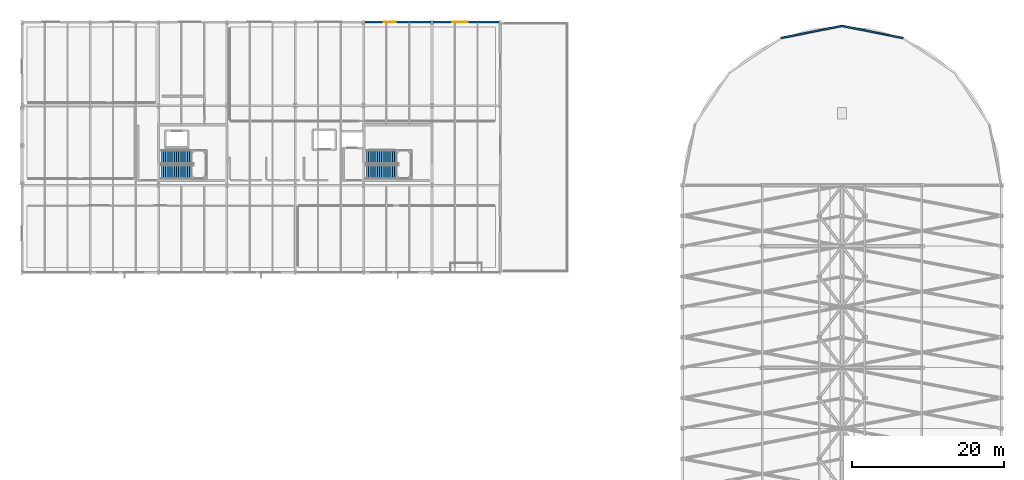
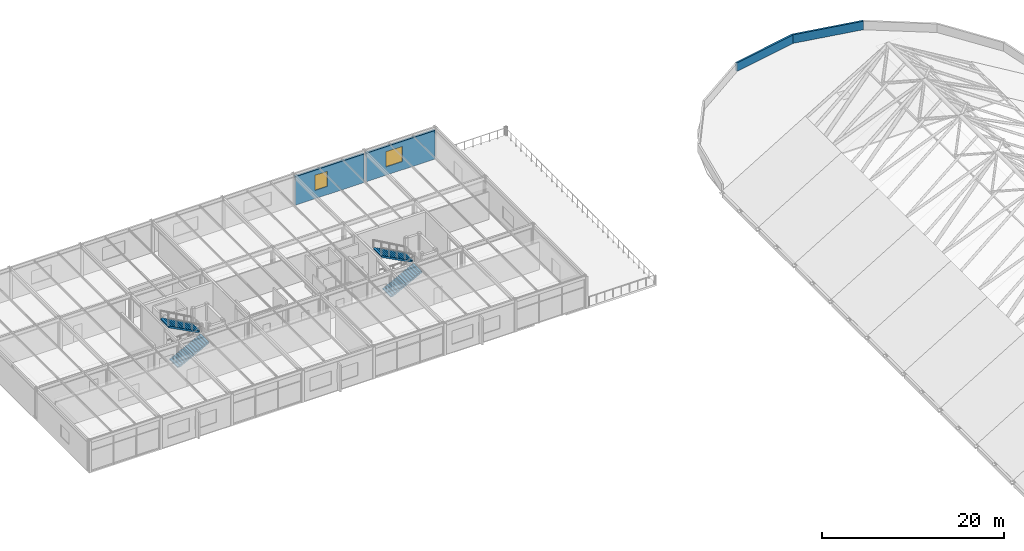
# One storey, part 21 of 44: 4 stair flights, 4 walls, 2 windows, 2 openings, 2 elements without a shape of their own.
"""IFC4 building model written with IfcOpenShell, lengths in metres."""

from ifc_helpers import new_model, si_unit, direction, frame, frame_2d, origin, place, context, subcontext, project, spatial, polyline, rectangle, outline, extrude, material, layer, layer_set, type_object, element, fill, aggregate, save


model = new_model("IFC4")

# Units and contexts
model_context = context("Model", 3, precision=1e-05, world=origin(), true_north=direction((0.0, 1.0)))
body_context = subcontext(model_context, "Body", "Model", "MODEL_VIEW")
ifc_project = project(units=[si_unit("LENGTHUNIT", "METRE"), si_unit("AREAUNIT", "SQUARE_METRE"), si_unit("VOLUMEUNIT", "CUBIC_METRE"), si_unit("PLANEANGLEUNIT", "RADIAN"), si_unit("MASSUNIT", "GRAM", prefix="KILO")], contexts=[model_context])

# Site, building, storey
site_placement = place(None, origin())
site = spatial("IfcSite", under=ifc_project, at=site_placement, CompositionType="ELEMENT")
building_placement = place(site_placement, origin())
building = spatial("IfcBuilding", under=site, at=building_placement, Name="Marlcrest Central Station", CompositionType="ELEMENT")
storey_placement = place(building_placement, frame((0.0, 0.0, 19.5)))
storey = spatial("IfcBuildingStorey", under=building, at=storey_placement, Name="L04", CompositionType="ELEMENT", Elevation=19.5)

# Walls
ifc_material_1 = material(Name="Precast concrete C40/50", Category="concrete")
ifc_layer_1 = layer(ifc_material_1, 0.22998046875, Name="EP-02")
ifc_layer_set_1 = layer_set([ifc_layer_1], Name="Precast concrete C40/50")
wall_type_1 = type_object("IfcWallType", Name="EP-02", PredefinedType="PARAPET", material=ifc_layer_set_1)
for number, where, z_axis, x_axis, name in (
    (1, (99.964111328125, 129.90087890625, 0.0), (0.0, 0.0, 1.0), (0.980769316421, 0.19517056122, 0.0), "ewall-L04-0026"),
    (2, (108.0, 131.5, 0.0), (0.0, 0.0, 1.0), (0.980769316421, -0.19517056122, 0.0), "ewall-L04-0027"),
):
    element("IfcWall", number, at=place(storey_placement, frame(where, z_axis=z_axis, x_axis=x_axis)), inside=storey, type_object=wall_type_1, Name=name, PredefinedType="PARAPET", context=body_context, shape_type="SweptSolid", body=[
        extrude(rectangle(XDim=8.193359375, YDim=0.22998046875, at=frame_2d((4.0966796875, 0.0))), origin(), (0.0, 0.0, 1.0), 1.14990234375),
    ])

# Wall, opening, window
ifc_layer_2 = layer(ifc_material_1, 0.260009765625, Name="EW-03")
ifc_layer_set_2 = layer_set([ifc_layer_2], Name="Precast concrete C40/50")
wall_type_2 = type_object("IfcWallType", Name="EW-03", PredefinedType="SOLIDWALL", material=ifc_layer_set_2)
wall_1_placement = place(storey_placement, frame((45.14990234375, 132.0, 0.0), z_axis=(0.0, 0.0, 1.0), x_axis=(1.0, 0.0, 0.0)))
wall_1 = element("IfcWall", 3, at=wall_1_placement, inside=storey, type_object=wall_type_2, Name="ewall-L04-0178", PredefinedType="SOLIDWALL", context=body_context, shape_type="SweptSolid", body=[
    extrude(rectangle(XDim=8.7001953125, YDim=0.260009765625, at=frame_2d((4.35009765625, 0.0))), origin(), (0.0, 0.0, 1.0), 3.85009765625),
])
opening_1_placement = place(wall_1_placement, frame((2.5, 0.0, 1.10009765625)))
opening_1 = element("IfcOpeningElement", 4, at=opening_1_placement, cuts=wall_1, Name="Opening WN-21", PredefinedType="OPENING", context=body_context, shape_type="SweptSolid", body=[
    extrude(rectangle(XDim=1.550048828125, YDim=2.050048828125, at=frame_2d((0.77490234375, 1.02490234375))), frame((0.0, 0.139892578125, 0.0), z_axis=(0.0, -1.0, 0.0), x_axis=(1.0, 0.0, 0.0)), (0.0, 0.0, 1.0), 0.280029296875),
])
ifc_material_2 = material(Name="Thermally broken bronze-anodised aluminium and laminated low-E glass", Category="aluminium")
window_type_1 = type_object("IfcWindowType", Name="WN-21", PartitioningType="SINGLE_PANEL", PredefinedType="WINDOW", material=ifc_material_2)
window_1_placement = place(opening_1_placement, origin())
window_1 = element("IfcWindow", 5, at=window_1_placement, inside=storey, type_object=window_type_1, Name="ewin-L04-0144", OverallHeight=2.050048828125, OverallWidth=1.550048828125, PartitioningType="SINGLE_PANEL", PredefinedType="WINDOW", context=body_context, shape_type="SweptSolid", body=[
    extrude(rectangle(XDim=1.550048828125, YDim=2.050048828125, at=frame_2d((0.77490234375, 1.02490234375))), frame((0.0, 0.030029296875, 0.0), z_axis=(0.0, -1.0, 0.0), x_axis=(1.0, 0.0, 0.0)), (0.0, 0.0, 1.0), 0.06005859375),
])
fill(opening_1, window_1)

wall_2_placement = place(storey_placement, frame((54.14990234375, 132.0, 0.0), z_axis=(0.0, 0.0, 1.0), x_axis=(1.0, 0.0, 0.0)))
wall_2 = element("IfcWall", 6, at=wall_2_placement, inside=storey, type_object=wall_type_2, Name="ewall-L04-0179", PredefinedType="SOLIDWALL", context=body_context, shape_type="SweptSolid", body=[
    extrude(rectangle(XDim=8.7001953125, YDim=0.260009765625, at=frame_2d((4.35009765625, 0.0))), origin(), (0.0, 0.0, 1.0), 3.85009765625),
])
opening_2_placement = place(wall_2_placement, frame((2.5, 0.0, 1.10009765625)))
opening_2 = element("IfcOpeningElement", 7, at=opening_2_placement, cuts=wall_2, Name="Opening WN-22", PredefinedType="OPENING", context=body_context, shape_type="SweptSolid", body=[
    extrude(rectangle(XDim=2.050048828125, YDim=2.050048828125, at=frame_2d((1.02490234375, 1.02490234375))), frame((0.0, 0.139892578125, 0.0), z_axis=(0.0, -1.0, 0.0), x_axis=(1.0, 0.0, 0.0)), (0.0, 0.0, 1.0), 0.280029296875),
])
window_type_2 = type_object("IfcWindowType", Name="WN-22", PartitioningType="SINGLE_PANEL", PredefinedType="WINDOW", material=ifc_material_2)
window_2_placement = place(opening_2_placement, origin())
window_2 = element("IfcWindow", 8, at=window_2_placement, inside=storey, type_object=window_type_2, Name="ewin-L04-0145", OverallHeight=2.050048828125, OverallWidth=2.050048828125, PartitioningType="SINGLE_PANEL", PredefinedType="WINDOW", context=body_context, shape_type="SweptSolid", body=[
    extrude(rectangle(XDim=2.050048828125, YDim=2.050048828125, at=frame_2d((1.02490234375, 1.02490234375))), frame((0.0, 0.030029296875, 0.0), z_axis=(0.0, -1.0, 0.0), x_axis=(1.0, 0.0, 0.0)), (0.0, 0.0, 1.0), 0.06005859375),
])
fill(opening_2, window_2)

# Stair, stair flights
ifc_material_3 = material(Name="Concrete C35/45", Category="concrete")
stair_type = type_object("IfcStairType", Name="ST-HTS", PredefinedType="HALF_TURN_STAIR", material=ifc_material_3)
stair_1_placement = place(storey_placement, origin())
stair_1 = element("IfcStair", 9, at=stair_1_placement, inside=storey, type_object=stair_type, Name="ST-W14", PredefinedType="HALF_TURN_STAIR")
stair_flight_type = type_object("IfcStairFlightType", Name="SF-180", PredefinedType="STRAIGHT", material=ifc_material_3)
stair_flight_1_placement = place(storey_placement, frame((18.3701171875, 112.27001953125, 0.0), z_axis=(0.0, 0.0, 1.0), x_axis=(1.0, 0.0, 0.0)))
stair_flight_1 = element("IfcStairFlight", 10, at=stair_flight_1_placement, type_object=stair_flight_type, Name="ST-W14-F1", NumberOfRisers=15, NumberOfTreads=14, PredefinedType="STRAIGHT", RiserHeight=0.15, TreadLength=0.285, context=body_context, shape_type="SweptSolid", body=[
    extrude(outline(polyline([(0.0, 0.0), (0.0, 0.14990234375), (0.284912109375, 0.14990234375), (0.284912109375, 0.300048828125), (0.570068359375, 0.300048828125), (0.570068359375, 0.449951171875), (0.85498046875, 0.449951171875), (0.85498046875, 0.60009765625), (1.139892578125, 0.60009765625), (1.139892578125, 0.75), (1.425048828125, 0.75), (1.425048828125, 0.89990234375), (1.7099609375, 0.89990234375), (1.7099609375, 1.050048828125), (1.9951171875, 1.050048828125), (1.9951171875, 1.199951171875), (2.280029296875, 1.199951171875), (2.280029296875, 1.35009765625), (2.56494140625, 1.35009765625), (2.56494140625, 1.5), (2.85009765625, 1.5), (2.85009765625, 1.64990234375), (3.135009765625, 1.64990234375), (3.135009765625, 1.800048828125), (3.419921875, 1.800048828125), (3.419921875, 1.949951171875), (3.705078125, 1.949951171875), (3.705078125, 2.10009765625), (3.989990234375, 2.10009765625), (3.989990234375, 2.25), (3.989990234375, 1.91357421875), (0.354248046875, 0.0), (0.0, 0.0)])), frame((0.0, 0.89990234375, 0.0), z_axis=(0.0, -1.0, 0.0), x_axis=(1.0, 0.0, 0.0)), (0.0, 0.0, 1.0), 1.800048828125),
])
stair_flight_2_placement = place(storey_placement, frame((22.360107421875, 114.22998046875, 2.25), z_axis=(0.0, 0.0, 1.0), x_axis=(-1.0, 0.0, 0.0)))
stair_flight_2 = element("IfcStairFlight", 11, at=stair_flight_2_placement, type_object=stair_flight_type, Name="ST-W14-F2", NumberOfRisers=15, NumberOfTreads=14, PredefinedType="STRAIGHT", RiserHeight=0.15, TreadLength=0.285, context=body_context, shape_type="SweptSolid", body=[
    extrude(outline(polyline([(0.0, 0.0), (0.0, 0.14990234375), (0.284912109375, 0.14990234375), (0.284912109375, 0.300048828125), (0.570068359375, 0.300048828125), (0.570068359375, 0.449951171875), (0.85498046875, 0.449951171875), (0.85498046875, 0.60009765625), (1.139892578125, 0.60009765625), (1.139892578125, 0.75), (1.425048828125, 0.75), (1.425048828125, 0.89990234375), (1.7099609375, 0.89990234375), (1.7099609375, 1.050048828125), (1.9951171875, 1.050048828125), (1.9951171875, 1.199951171875), (2.280029296875, 1.199951171875), (2.280029296875, 1.35009765625), (2.56494140625, 1.35009765625), (2.56494140625, 1.5), (2.85009765625, 1.5), (2.85009765625, 1.64990234375), (3.135009765625, 1.64990234375), (3.135009765625, 1.800048828125), (3.419921875, 1.800048828125), (3.419921875, 1.949951171875), (3.705078125, 1.949951171875), (3.705078125, 2.10009765625), (3.989990234375, 2.10009765625), (3.989990234375, 2.25), (3.989990234375, 1.91357421875), (0.354248046875, 0.0), (0.0, 0.0)])), frame((0.0, 0.89990234375, 0.0), z_axis=(0.0, -1.0, 0.0), x_axis=(1.0, 0.0, 0.0)), (0.0, 0.0, 1.0), 1.800048828125),
])
aggregate(stair_1, [stair_flight_1, stair_flight_2])

stair_2_placement = place(storey_placement, origin())
stair_2 = element("IfcStair", 12, at=stair_2_placement, inside=storey, type_object=stair_type, Name="ST-W24", PredefinedType="HALF_TURN_STAIR")
stair_flight_3_placement = place(storey_placement, frame((45.3701171875, 112.27001953125, 0.0), z_axis=(0.0, 0.0, 1.0), x_axis=(1.0, 0.0, 0.0)))
stair_flight_3 = element("IfcStairFlight", 13, at=stair_flight_3_placement, type_object=stair_flight_type, Name="ST-W24-F1", NumberOfRisers=15, NumberOfTreads=14, PredefinedType="STRAIGHT", RiserHeight=0.15, TreadLength=0.285, context=body_context, shape_type="SweptSolid", body=[
    extrude(outline(polyline([(0.0, 0.0), (0.0, 0.14990234375), (0.284912109375, 0.14990234375), (0.284912109375, 0.300048828125), (0.570068359375, 0.300048828125), (0.570068359375, 0.449951171875), (0.85498046875, 0.449951171875), (0.85498046875, 0.60009765625), (1.139892578125, 0.60009765625), (1.139892578125, 0.75), (1.425048828125, 0.75), (1.425048828125, 0.89990234375), (1.7099609375, 0.89990234375), (1.7099609375, 1.050048828125), (1.9951171875, 1.050048828125), (1.9951171875, 1.199951171875), (2.280029296875, 1.199951171875), (2.280029296875, 1.35009765625), (2.56494140625, 1.35009765625), (2.56494140625, 1.5), (2.85009765625, 1.5), (2.85009765625, 1.64990234375), (3.135009765625, 1.64990234375), (3.135009765625, 1.800048828125), (3.419921875, 1.800048828125), (3.419921875, 1.949951171875), (3.705078125, 1.949951171875), (3.705078125, 2.10009765625), (3.989990234375, 2.10009765625), (3.989990234375, 2.25), (3.989990234375, 1.91357421875), (0.354248046875, 0.0), (0.0, 0.0)])), frame((0.0, 0.89990234375, 0.0), z_axis=(0.0, -1.0, 0.0), x_axis=(1.0, 0.0, 0.0)), (0.0, 0.0, 1.0), 1.800048828125),
])
stair_flight_4_placement = place(storey_placement, frame((49.360107421875, 114.22998046875, 2.25), z_axis=(0.0, 0.0, 1.0), x_axis=(-1.0, 0.0, 0.0)))
stair_flight_4 = element("IfcStairFlight", 14, at=stair_flight_4_placement, type_object=stair_flight_type, Name="ST-W24-F2", NumberOfRisers=15, NumberOfTreads=14, PredefinedType="STRAIGHT", RiserHeight=0.15, TreadLength=0.285, context=body_context, shape_type="SweptSolid", body=[
    extrude(outline(polyline([(0.0, 0.0), (0.0, 0.14990234375), (0.284912109375, 0.14990234375), (0.284912109375, 0.300048828125), (0.570068359375, 0.300048828125), (0.570068359375, 0.449951171875), (0.85498046875, 0.449951171875), (0.85498046875, 0.60009765625), (1.139892578125, 0.60009765625), (1.139892578125, 0.75), (1.425048828125, 0.75), (1.425048828125, 0.89990234375), (1.7099609375, 0.89990234375), (1.7099609375, 1.050048828125), (1.9951171875, 1.050048828125), (1.9951171875, 1.199951171875), (2.280029296875, 1.199951171875), (2.280029296875, 1.35009765625), (2.56494140625, 1.35009765625), (2.56494140625, 1.5), (2.85009765625, 1.5), (2.85009765625, 1.64990234375), (3.135009765625, 1.64990234375), (3.135009765625, 1.800048828125), (3.419921875, 1.800048828125), (3.419921875, 1.949951171875), (3.705078125, 1.949951171875), (3.705078125, 2.10009765625), (3.989990234375, 2.10009765625), (3.989990234375, 2.25), (3.989990234375, 1.91357421875), (0.354248046875, 0.0), (0.0, 0.0)])), frame((0.0, 0.89990234375, 0.0), z_axis=(0.0, -1.0, 0.0), x_axis=(1.0, 0.0, 0.0)), (0.0, 0.0, 1.0), 1.800048828125),
])
aggregate(stair_2, [stair_flight_3, stair_flight_4])

save(model, "model.ifc")
